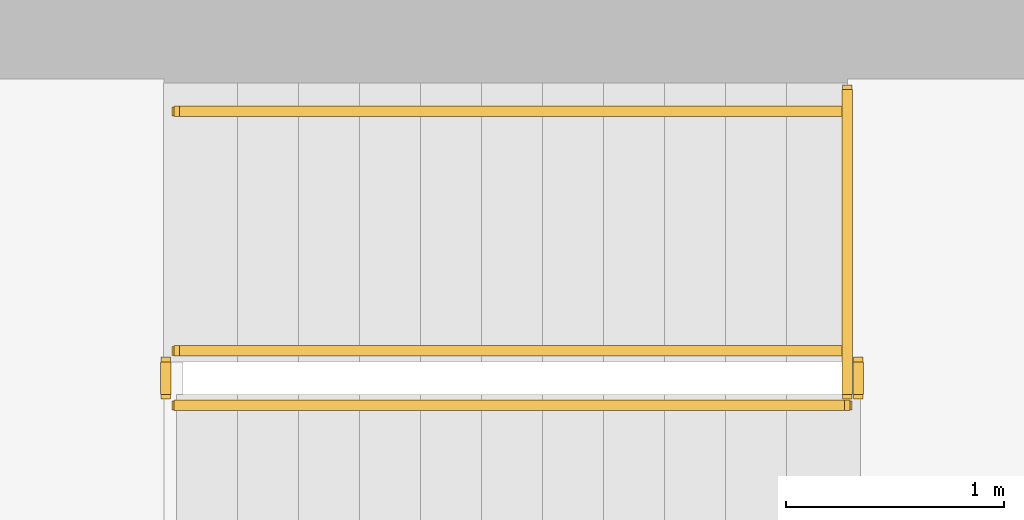
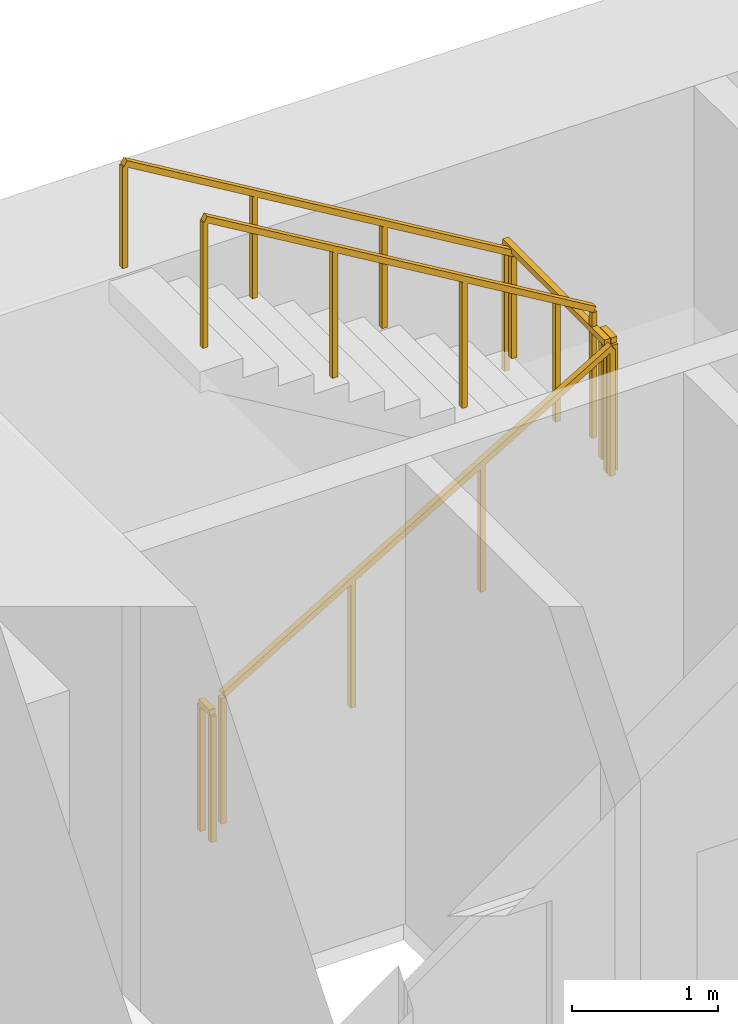
# One storey, part 15 of 16: 6 railings.
"""IFC4 building model written with IfcOpenShell, lengths in metres."""

import ifcopenshell
import ifcopenshell.guid

model = None  # the IFC model being written
_history = None  # IfcOwnerHistory: only IFC2X3 demands one
_inside = {}  # id of a spatial element -> (the spatial element, [elements in it])
_under = {}  # id of a project, library or spatial element -> (it, [spatial elements below it])
_declared = {}  # id of a project -> (the project, [libraries it declares])
_typed = {}  # id of a type object -> (the type object, [elements of that type])
_made_of = {}  # id of a material, layer set ... -> (it, [elements and type objects made of it])


def new_model(schema):
    """Start an empty IFC model of exactly this schema.

    Asked for "IFC4X3", IfcOpenShell would pick the latest addendum, in which some entities
    have other attributes; the version numbers below select the first issue.
    IFC2X3 requires an IfcOwnerHistory on every rooted entity: one is made here for all.
    """
    global model, _history
    if schema == "IFC4X3":
        model = ifcopenshell.file(schema_version=(4, 3, 0, 0))
    else:
        model = ifcopenshell.file(schema=schema)
    _inside.clear()
    _under.clear()
    _declared.clear()
    _typed.clear()
    _made_of.clear()
    _history = None
    if model.schema == "IFC2X3":
        org = make("IfcOrganization", Name="unknown")
        user = make(
            "IfcPersonAndOrganization",
            ThePerson=make("IfcPerson", FamilyName="unknown"),
            TheOrganization=org,
        )
        app = make(
            "IfcApplication",
            ApplicationDeveloper=org,
            Version="unknown",
            ApplicationFullName="unknown",
            ApplicationIdentifier="unknown",
        )
        _history = make(
            "IfcOwnerHistory",
            OwningUser=user,
            OwningApplication=app,
            ChangeAction="ADDED",
            CreationDate=0,
        )
    return model


def make(cls, **values):
    """One entity of the class cls with the attributes given. An attribute that is None is left unset."""
    return model.create_entity(
        cls, **{name: value for name, value in values.items() if value is not None}
    )


def rooted(cls, **values):
    """An entity with a GlobalId (a new one), such as an element, a storey or a relation."""
    return make(cls, GlobalId=ifcopenshell.guid.new(), OwnerHistory=_history, **values)


def si_unit(unit_type, name, prefix=None):
    """IfcSIUnit, for example si_unit("LENGTHUNIT", "METRE", prefix="MILLI")."""
    return make("IfcSIUnit", UnitType=unit_type, Prefix=prefix, Name=name)


def assignment(units):
    """IfcUnitAssignment: the units of a project."""
    return None if units is None else make("IfcUnitAssignment", Units=units)


def point(xyz):
    """IfcCartesianPoint."""
    return None if xyz is None else make("IfcCartesianPoint", Coordinates=xyz)


def direction(xyz):
    """IfcDirection."""
    return None if xyz is None else make("IfcDirection", DirectionRatios=xyz)


def frame(location, z_axis=None, x_axis=None):
    """IfcAxis2Placement3D, a coordinate frame: its origin and axes. An axis left out is left unset."""
    return make(
        "IfcAxis2Placement3D",
        Location=point(location),
        Axis=direction(z_axis),
        RefDirection=direction(x_axis),
    )


def frame_2d(location, x_axis=None):
    """IfcAxis2Placement2D, a coordinate frame in the plane: its origin and x axis."""
    return make(
        "IfcAxis2Placement2D", Location=point(location), RefDirection=direction(x_axis)
    )


def origin():
    """The frame at (0, 0, 0) with its axes left unset."""
    return frame((0.0, 0.0, 0.0))


def origin_2d():
    """The frame at (0, 0) in the plane with its x axis left unset."""
    return frame_2d((0.0, 0.0))


def place(relative_to, where):
    """IfcLocalPlacement: puts the frame where relative to a parent placement (None: the world)."""
    return make(
        "IfcLocalPlacement", PlacementRelTo=relative_to, RelativePlacement=where
    )


def context(
    kind, dimensions, precision=None, world=None, true_north=None, identifier=None
):
    """IfcGeometricRepresentationContext, for example the 3D "Model" context."""
    return make(
        "IfcGeometricRepresentationContext",
        ContextIdentifier=identifier,
        ContextType=kind,
        CoordinateSpaceDimension=dimensions,
        Precision=precision,
        WorldCoordinateSystem=world,
        TrueNorth=true_north,
    )


def subcontext(parent, identifier, kind, view, scale=None):
    """IfcGeometricRepresentationSubContext, for example "Body" below "Model"."""
    return make(
        "IfcGeometricRepresentationSubContext",
        ContextIdentifier=identifier,
        ContextType=kind,
        ParentContext=parent,
        TargetScale=scale,
        TargetView=view,
    )


def project(units=None, contexts=None):
    """IfcProject with its units and contexts."""
    return rooted(
        "IfcProject",
        Name="project",
        RepresentationContexts=contexts,
        UnitsInContext=assignment(units),
    )


def spatial(cls, under=None, at=None, **own):
    """A site, building, storey or space (cls), placed at a placement, below another one or the project."""
    s = rooted(cls, ObjectPlacement=at, **own)
    if under is not None:
        _under.setdefault(under.id(), (under, []))[1].append(s)
    return s


def profile(cls, at=None, kind="AREA", **sizes):
    """A parametric profile (cls). Its sizes go by their IFC names, for example OverallWidth=200.0."""
    return make(cls, ProfileType=kind, Position=at, **sizes)


def rectangle(**sizes):
    """IfcRectangleProfileDef."""
    return profile("IfcRectangleProfileDef", **sizes)


def extrude(swept, where, along, depth):
    """IfcExtrudedAreaSolid: the profile swept, set in the frame where, extruded along a direction by depth."""
    return make(
        "IfcExtrudedAreaSolid",
        SweptArea=swept,
        Position=where,
        ExtrudedDirection=direction(along),
        Depth=depth,
    )


def shape(context_of_items, identifier, shape_type, items):
    """IfcShapeRepresentation: the items that make up one representation, for example the "Body"."""
    return make(
        "IfcShapeRepresentation",
        ContextOfItems=context_of_items,
        RepresentationIdentifier=identifier,
        RepresentationType=shape_type,
        Items=items,
    )


def material(Name=None, Category=None):
    """IfcMaterial."""
    return make("IfcMaterial", Name=Name, Category=Category)


def made_of(thing, what):
    """Note that an element or type object is made of a material, layer set ...; save() writes the relation."""
    if what is not None:
        _made_of.setdefault(what.id(), (what, []))[1].append(thing)
    return thing


def type_object(cls, material=None, **own):
    """A type object (cls), such as IfcWallType, which elements share."""
    return made_of(rooted(cls, **own), material)


def element(
    cls,
    number,
    at=None,
    inside=None,
    cuts=None,
    type_object=None,
    material=None,
    context=None,
    identifier="Body",
    shape_type=None,
    held_by="IfcProductDefinitionShape",
    body=None,
    shapes=None,
    **own,
):
    """One element of the class cls, such as IfcWall. Its Tag is "e" and its number.

    at: its placement. inside: the storey or other place that contains it. cuts: it is an
    opening in that element (IfcRelVoidsElement). A single representation is given by context,
    identifier, shape_type and body (its items); several are given by shapes. held_by: the class
    of the entity that holds the representations. save() writes the other relations.
    """
    e = rooted(cls, Tag="e%d" % number, ObjectPlacement=at, **own)
    if body is not None:
        shapes = [shape(context, identifier, shape_type, body)]
    if shapes is not None:
        e.Representation = make(held_by, Representations=shapes)
    if inside is not None:
        _inside.setdefault(inside.id(), (inside, []))[1].append(e)
    if cuts is not None:
        rooted(
            "IfcRelVoidsElement", RelatingBuildingElement=cuts, RelatedOpeningElement=e
        )
    if type_object is not None:
        _typed.setdefault(type_object.id(), (type_object, []))[1].append(e)
    return made_of(e, material)


def aggregate(whole, parts):
    """IfcRelAggregates: a whole, such as a stair, and the parts it consists of."""
    return rooted("IfcRelAggregates", RelatingObject=whole, RelatedObjects=parts)


def save(model, path):
    """Write the relations noted so far, then the file.

    IfcRelAggregates (storeys below a building ...), IfcRelContainedInSpatialStructure (elements
    in a storey), IfcRelDefinesByType, IfcRelAssociatesMaterial and IfcRelDeclares: one each for
    every whole, place, type object, material and project.
    """
    for whole, parts in _under.values():
        aggregate(whole, parts)
    for where, things in _inside.values():
        rooted(
            "IfcRelContainedInSpatialStructure",
            RelatedElements=things,
            RelatingStructure=where,
        )
    for kind, things in _typed.values():
        rooted("IfcRelDefinesByType", RelatedObjects=things, RelatingType=kind)
    for what, things in _made_of.values():
        rooted("IfcRelAssociatesMaterial", RelatedObjects=things, RelatingMaterial=what)
    for by, libraries in _declared.values():
        rooted("IfcRelDeclares", RelatingContext=by, RelatedDefinitions=libraries)
    model.write(path)


model = new_model("IFC4")

# Units and contexts
model_context = context("Model", 3, precision=1e-05, world=origin(), true_north=direction((0.0, 1.0)))
body_context = subcontext(model_context, "Body", "Model", "MODEL_VIEW")
ifc_project = project(units=[si_unit("LENGTHUNIT", "METRE"), si_unit("AREAUNIT", "SQUARE_METRE"), si_unit("VOLUMEUNIT", "CUBIC_METRE"), si_unit("PLANEANGLEUNIT", "RADIAN"), si_unit("MASSUNIT", "GRAM", prefix="KILO")], contexts=[model_context])

# Site, building, storey
site_placement = place(None, origin())
site = spatial("IfcSite", under=ifc_project, at=site_placement, CompositionType="ELEMENT")
building_placement = place(site_placement, origin())
building = spatial("IfcBuilding", under=site, at=building_placement, Name="Sennacour Bend Tower", CompositionType="ELEMENT")
storey_placement = place(building_placement, frame((0.0, 0.0, 115.0)))
storey = spatial("IfcBuildingStorey", under=building, at=storey_placement, Name="L26", CompositionType="ELEMENT", Elevation=115.0)

# Railings
ifc_material = material(Name="Stainless steel", Category="steel")
railing_type_1 = type_object("IfcRailingType", Name="RL-GUARD-1100", PredefinedType="GUARDRAIL", material=ifc_material)
railing_1_placement = place(storey_placement, frame((56.699951171875, 19.85009765625, 0.166748046875)))
element("IfcRailing", 1, at=railing_1_placement, inside=storey, type_object=railing_type_1, Name="L26 SA2 stair guard 1", PredefinedType="GUARDRAIL", context=body_context, shape_type="SweptSolid", body=[
    extrude(rectangle(XDim=0.048095703125, YDim=0.048095703125, at=origin_2d()), frame((0.0, 0.0, 1.076171875), z_axis=(0.859308565015, 0.0, 0.511457515432), x_axis=(0.0, 1.0, 0.0)), (0.0, 0.0, 1.0), 3.58447265625),
    extrude(rectangle(XDim=0.0419921875, YDim=0.0419921875, at=origin_2d()), origin(), (0.0, 0.0, 1.0), 1.052001953125),
    extrude(rectangle(XDim=0.0419921875, YDim=0.0419921875, at=origin_2d()), frame((1.026611328125, 0.0, 0.611083984375)), (0.0, 0.0, 1.0), 1.052001953125),
    extrude(rectangle(XDim=0.0419921875, YDim=0.0419921875, at=origin_2d()), frame((2.053466796875, 0.0, 1.22216796875)), (0.0, 0.0, 1.0), 1.052001953125),
    extrude(rectangle(XDim=0.0419921875, YDim=0.0419921875, at=origin_2d()), frame((3.080078125, 0.0, 1.833251953125)), (0.0, 0.0, 1.0), 1.052001953125),
])
railing_2_placement = place(storey_placement, frame((59.830078125, 19.89990234375, 2.0)))
element("IfcRailing", 2, at=railing_2_placement, inside=storey, type_object=railing_type_1, Name="L26 SA2 stair guard 2", PredefinedType="GUARDRAIL", context=body_context, shape_type="SweptSolid", body=[
    extrude(rectangle(XDim=0.048095703125, YDim=0.048095703125, at=origin_2d()), frame((0.0, 0.0, 1.076171875), z_axis=(0.0, 1.0, 0.0), x_axis=(-1.0, 0.0, 0.0)), (0.0, 0.0, 1.0), 0.150146484375),
    extrude(rectangle(XDim=0.0419921875, YDim=0.0419921875, at=origin_2d()), origin(), (0.0, 0.0, 1.0), 1.052001953125),
    extrude(rectangle(XDim=0.0419921875, YDim=0.0419921875, at=origin_2d()), frame((0.0, 0.150146484375, 0.0)), (0.0, 0.0, 1.0), 1.052001953125),
])
railing_3_placement = place(storey_placement, frame((59.780029296875, 20.10009765625, 2.166748046875)))
element("IfcRailing", 3, at=railing_3_placement, inside=storey, type_object=railing_type_1, Name="L26 SA2 stair guard 4", PredefinedType="GUARDRAIL", context=body_context, shape_type="SweptSolid", body=[
    extrude(rectangle(XDim=0.048095703125, YDim=0.048095703125, at=origin_2d()), frame((0.0, 0.0, 1.076171875), z_axis=(-0.859308565015, 0.0, 0.511457515432), x_axis=(0.0, -1.0, 0.0)), (0.0, 0.0, 1.0), 3.58447265625),
    extrude(rectangle(XDim=0.0419921875, YDim=0.0419921875, at=origin_2d()), origin(), (0.0, 0.0, 1.0), 1.052001953125),
    extrude(rectangle(XDim=0.0419921875, YDim=0.0419921875, at=origin_2d()), frame((-1.026611328125, 0.0, 0.611083984375)), (0.0, 0.0, 1.0), 1.052001953125),
    extrude(rectangle(XDim=0.0419921875, YDim=0.0419921875, at=origin_2d()), frame((-2.053466796875, 0.0, 1.22216796875)), (0.0, 0.0, 1.0), 1.052001953125),
    extrude(rectangle(XDim=0.0419921875, YDim=0.0419921875, at=origin_2d()), frame((-3.080078125, 0.0, 1.833251953125)), (0.0, 0.0, 1.0), 1.052001953125),
])
railing_4_placement = place(storey_placement, frame((56.64990234375, 19.89990234375, 0.0)))
element("IfcRailing", 4, at=railing_4_placement, inside=storey, type_object=railing_type_1, Name="L26 SA2 stair guard 5", PredefinedType="GUARDRAIL", context=body_context, shape_type="SweptSolid", body=[
    extrude(rectangle(XDim=0.048095703125, YDim=0.048095703125, at=origin_2d()), frame((0.0, 0.0, 1.076171875), z_axis=(0.0, 1.0, 0.0), x_axis=(-1.0, 0.0, 0.0)), (0.0, 0.0, 1.0), 0.150146484375),
    extrude(rectangle(XDim=0.0419921875, YDim=0.0419921875, at=origin_2d()), origin(), (0.0, 0.0, 1.0), 1.052001953125),
    extrude(rectangle(XDim=0.0419921875, YDim=0.0419921875, at=origin_2d()), frame((0.0, 0.150146484375, 0.0)), (0.0, 0.0, 1.0), 1.052001953125),
])
railing_5_placement = place(storey_placement, frame((59.780029296875, 19.89990234375, 2.0)))
element("IfcRailing", 5, at=railing_5_placement, inside=storey, type_object=railing_type_1, Name="L26 SA2 landing edge guard 39", PredefinedType="GUARDRAIL", context=body_context, shape_type="SweptSolid", body=[
    extrude(rectangle(XDim=0.048095703125, YDim=0.048095703125, at=origin_2d()), frame((0.0, 0.0, 1.076171875), z_axis=(0.0, 1.0, 0.0), x_axis=(-1.0, 0.0, 0.0)), (0.0, 0.0, 1.0), 1.400146484375),
    extrude(rectangle(XDim=0.0419921875, YDim=0.0419921875, at=origin_2d()), origin(), (0.0, 0.0, 1.0), 1.052001953125),
    extrude(rectangle(XDim=0.0419921875, YDim=0.0419921875, at=origin_2d()), frame((0.0, 0.7001953125, 0.0)), (0.0, 0.0, 1.0), 1.052001953125),
    extrude(rectangle(XDim=0.0419921875, YDim=0.0419921875, at=origin_2d()), frame((0.0, 1.400146484375, 0.0)), (0.0, 0.0, 1.0), 1.052001953125),
])
railing_type_2 = type_object("IfcRailingType", Name="RL-HANDRAIL-900", PredefinedType="HANDRAIL", material=ifc_material)
railing_6_placement = place(storey_placement, frame((59.780029296875, 21.199951171875, 2.166748046875)))
element("IfcRailing", 6, at=railing_6_placement, inside=storey, type_object=railing_type_2, Name="L26 SA2 stair handrail 2", PredefinedType="HANDRAIL", context=body_context, shape_type="SweptSolid", body=[
    extrude(rectangle(XDim=0.048095703125, YDim=0.048095703125, at=origin_2d()), frame((0.0, 0.0, 0.8759765625), z_axis=(-0.859308565015, 0.0, 0.511457515432), x_axis=(0.0, -1.0, 0.0)), (0.0, 0.0, 1.0), 3.58447265625),
    extrude(rectangle(XDim=0.0419921875, YDim=0.0419921875, at=origin_2d()), origin(), (0.0, 0.0, 1.0), 0.851806640625),
    extrude(rectangle(XDim=0.0419921875, YDim=0.0419921875, at=origin_2d()), frame((-1.026611328125, 0.0, 0.611083984375)), (0.0, 0.0, 1.0), 0.851806640625),
    extrude(rectangle(XDim=0.0419921875, YDim=0.0419921875, at=origin_2d()), frame((-2.053466796875, 0.0, 1.22216796875)), (0.0, 0.0, 1.0), 0.851806640625),
    extrude(rectangle(XDim=0.0419921875, YDim=0.0419921875, at=origin_2d()), frame((-3.080078125, 0.0, 1.833251953125)), (0.0, 0.0, 1.0), 0.851806640625),
])

save(model, "model.ifc")
